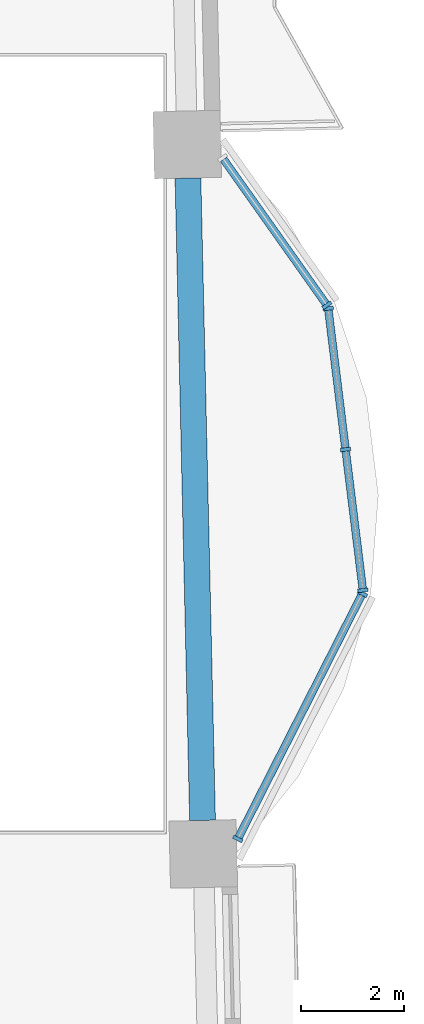
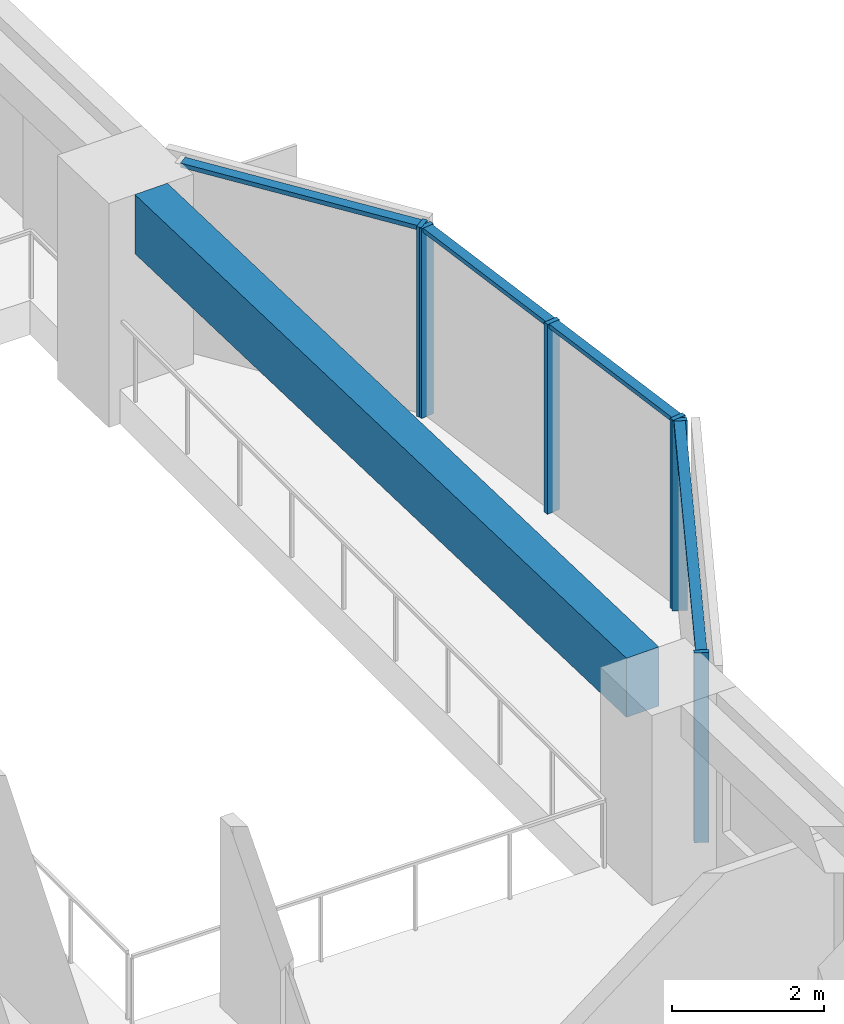
# One storey, part 2 of 16: 10 members, 1 beam, 3 elements without a shape of their own.
"""IFC4 building model written with IfcOpenShell, lengths in metres."""

from ifc_helpers import new_model, si_unit, direction, frame, origin, origin_2d, place, context, subcontext, project, spatial, rectangle, extrude, material, material_profile, profile_set, type_object, element, aggregate, save


model = new_model("IFC4")

# Units and contexts
model_context = context("Model", 3, precision=1e-05, world=origin(), true_north=direction((0.0, 1.0)))
body_context = subcontext(model_context, "Body", "Model", "MODEL_VIEW")
ifc_project = project(units=[si_unit("LENGTHUNIT", "METRE"), si_unit("AREAUNIT", "SQUARE_METRE"), si_unit("VOLUMEUNIT", "CUBIC_METRE"), si_unit("PLANEANGLEUNIT", "RADIAN"), si_unit("MASSUNIT", "GRAM", prefix="KILO")], contexts=[model_context])

# Site, building, storey
site_placement = place(None, origin())
site = spatial("IfcSite", under=ifc_project, at=site_placement, CompositionType="ELEMENT")
building_placement = place(site_placement, origin())
building = spatial("IfcBuilding", under=site, at=building_placement, Name="Mangrove Gate Tower", CompositionType="ELEMENT")
storey_placement = place(building_placement, frame((0.0, 0.0, 140.89990234375)))
storey = spatial("IfcBuildingStorey", under=building, at=storey_placement, Name="L35", CompositionType="ELEMENT", Elevation=140.89990234375)

# Curtain wall, members
ifc_material_1 = material(Name="Aluminium and glass curtain wall", Category="aluminium")
curtain_wall_type = type_object("IfcCurtainWallType", Name="Atrium garden-court glazing wall", PredefinedType="NOTDEFINED", material=ifc_material_1)
curtain_wall_1_placement = place(storey_placement, origin())
curtain_wall_1 = element("IfcCurtainWall", 1, at=curtain_wall_1_placement, inside=storey, type_object=curtain_wall_type, Name="Atrium garden-court glazing E1f1", PredefinedType="NOTDEFINED")
ifc_material_2 = material(Name="Aluminium alloy 6063-T6", Category="aluminium")
ifc_material_profile_1 = material_profile(ifc_material_2, rectangle(XDim=0.070068359375, YDim=0.199951171875, at=origin_2d()))
ifc_profile_set_1 = profile_set([ifc_material_profile_1], Name="Aluminium alloy 6063-T6")
member_type_1 = type_object("IfcMemberType", Name="Atrium garden-court glazing mullion 70x200", PredefinedType="MULLION", material=ifc_profile_set_1)
member_1_placement = place(storey_placement, frame((24.441162109375, -7.660400390625, 0.0), z_axis=(0.0, 0.0, 1.0), x_axis=(0.452614630938, 0.891706227331, 0.0)))
member_1 = element("IfcMember", 2, at=member_1_placement, type_object=member_type_1, Name="CWA mullion 1", PredefinedType="MULLION", context=body_context, shape_type="SweptSolid", body=[
    extrude(rectangle(XDim=0.070068359375, YDim=0.199951171875, at=origin_2d()), origin(), (0.0, 0.0, 1.0), 3.050048828125),
])
member_2_placement = place(storey_placement, frame((26.85302734375, -2.908935546875, 0.0), z_axis=(0.0, 0.0, 1.0), x_axis=(0.452614630938, 0.891706227331, 0.0)))
member_2 = element("IfcMember", 3, at=member_2_placement, type_object=member_type_1, Name="CWA mullion 2", PredefinedType="MULLION", context=body_context, shape_type="SweptSolid", body=[
    extrude(rectangle(XDim=0.070068359375, YDim=0.199951171875, at=origin_2d()), origin(), (0.0, 0.0, 1.0), 3.050048828125),
])

curtain_wall_2_placement = place(storey_placement, origin())
curtain_wall_2 = element("IfcCurtainWall", 4, at=curtain_wall_2_placement, inside=storey, type_object=curtain_wall_type, Name="Atrium garden-court glazing E1f2", PredefinedType="NOTDEFINED")
member_3_placement = place(storey_placement, frame((26.864501953125, -2.843017578125, 0.0), z_axis=(0.0, 0.0, 1.0), x_axis=(-0.122172285885, 0.992508908051, 0.0)))
member_3 = element("IfcMember", 5, at=member_3_placement, type_object=member_type_1, Name="CWA mullion 1", PredefinedType="MULLION", context=body_context, shape_type="SweptSolid", body=[
    extrude(rectangle(XDim=0.070068359375, YDim=0.199951171875, at=origin_2d()), origin(), (0.0, 0.0, 1.0), 3.050048828125),
])
member_4_placement = place(storey_placement, frame((26.5283203125, -0.112060546875, 0.0), z_axis=(0.0, 0.0, 1.0), x_axis=(-0.122172285885, 0.992508908051, 0.0)))
member_4 = element("IfcMember", 6, at=member_4_placement, type_object=member_type_1, Name="CWA mullion 2", PredefinedType="MULLION", context=body_context, shape_type="SweptSolid", body=[
    extrude(rectangle(XDim=0.070068359375, YDim=0.199951171875, at=origin_2d()), origin(), (0.0, 0.0, 1.0), 3.050048828125),
])
member_5_placement = place(storey_placement, frame((26.192138671875, 2.619140625, 0.0), z_axis=(0.0, 0.0, 1.0), x_axis=(-0.122172285885, 0.992508908051, 0.0)))
member_5 = element("IfcMember", 7, at=member_5_placement, type_object=member_type_1, Name="CWA mullion 3", PredefinedType="MULLION", context=body_context, shape_type="SweptSolid", body=[
    extrude(rectangle(XDim=0.070068359375, YDim=0.199951171875, at=origin_2d()), origin(), (0.0, 0.0, 1.0), 3.050048828125),
])

# Curtain wall, member
curtain_wall_3_placement = place(storey_placement, origin())
curtain_wall_3 = element("IfcCurtainWall", 8, at=curtain_wall_3_placement, inside=storey, type_object=curtain_wall_type, Name="Atrium garden-court glazing E1f3", PredefinedType="NOTDEFINED")
member_6_placement = place(storey_placement, frame((26.167724609375, 2.682373046875, 0.0), z_axis=(0.0, 0.0, 1.0), x_axis=(-0.578132252952, 0.815943072828, 0.0)))
member_6 = element("IfcMember", 9, at=member_6_placement, type_object=member_type_1, Name="CWA mullion 1", PredefinedType="MULLION", context=body_context, shape_type="SweptSolid", body=[
    extrude(rectangle(XDim=0.070068359375, YDim=0.199951171875, at=origin_2d()), origin(), (0.0, 0.0, 1.0), 3.050048828125),
])

# Member
ifc_material_3 = material(Name="Aluminium alloy 6063-T6", Category="aluminium")
ifc_material_profile_2 = material_profile(ifc_material_3, rectangle(XDim=0.070068359375, YDim=0.14990234375, at=origin_2d()))
ifc_profile_set_2 = profile_set([ifc_material_profile_2], Name="Aluminium alloy 6063-T6")
member_type_2 = type_object("IfcMemberType", Name="Atrium garden-court glazing transom 70x150", PredefinedType="USERDEFINED", material=ifc_profile_set_2)
member_7_placement = place(storey_placement, frame((24.45703125, -7.629150390625, 3.01513671875), z_axis=(0.452628185689, 0.891699347045, 0.0), x_axis=(0.0, 0.0, 1.0)))
member_7 = element("IfcMember", 10, at=member_7_placement, type_object=member_type_2, Name="CWA transom 1.2", ObjectType="TRANSOM", PredefinedType="USERDEFINED", context=body_context, shape_type="SweptSolid", body=[
    extrude(rectangle(XDim=0.070068359375, YDim=0.14990234375, at=origin_2d()), origin(), (0.0, 0.0, 1.0), 5.258544921875),
])

aggregate(curtain_wall_1, [member_1, member_2, member_7])

member_8_placement = place(storey_placement, frame((26.8603515625, -2.808349609375, 3.01513671875), z_axis=(-0.122174517154, 0.992508633392, 0.0), x_axis=(0.0, 0.0, 1.0)))
member_8 = element("IfcMember", 11, at=member_8_placement, type_object=member_type_2, Name="CWA transom 1.2", ObjectType="TRANSOM", PredefinedType="USERDEFINED", context=body_context, shape_type="SweptSolid", body=[
    extrude(rectangle(XDim=0.070068359375, YDim=0.14990234375, at=origin_2d()), origin(), (0.0, 0.0, 1.0), 2.681640625),
])

member_9_placement = place(storey_placement, frame((26.524169921875, -0.0771484375, 3.01513671875), z_axis=(-0.122174517154, 0.992508633392, 0.0), x_axis=(0.0, 0.0, 1.0)))
member_9 = element("IfcMember", 12, at=member_9_placement, type_object=member_type_2, Name="CWA transom 2.2", ObjectType="TRANSOM", PredefinedType="USERDEFINED", context=body_context, shape_type="SweptSolid", body=[
    extrude(rectangle(XDim=0.070068359375, YDim=0.14990234375, at=origin_2d()), origin(), (0.0, 0.0, 1.0), 2.681640625),
])

aggregate(curtain_wall_2, [member_3, member_4, member_5, member_8, member_9])

member_10_placement = place(storey_placement, frame((26.1474609375, 2.7109375, 3.01513671875), z_axis=(-0.578102277646, 0.81596431085, 0.0), x_axis=(0.0, 0.0, 1.0)))
member_10 = element("IfcMember", 13, at=member_10_placement, type_object=member_type_2, Name="CWA transom 1.2", ObjectType="TRANSOM", PredefinedType="USERDEFINED", context=body_context, shape_type="SweptSolid", body=[
    extrude(rectangle(XDim=0.070068359375, YDim=0.14990234375, at=origin_2d()), origin(), (0.0, 0.0, 1.0), 3.42919921875),
])

aggregate(curtain_wall_3, [member_6, member_10])

# Beam
ifc_material_4 = material(Name="Concrete C50/60", Category="concrete")
ifc_material_profile_3 = material_profile(ifc_material_4, rectangle(XDim=0.5, YDim=0.949951171875, at=origin_2d()))
ifc_profile_set_3 = profile_set([ifc_material_profile_3], Name="Concrete C50/60")
beam_type = type_object("IfcBeamType", Name="Edge beam RC 500x950 C50/60", PredefinedType="BEAM", material=ifc_profile_set_3)
beam_placement = place(storey_placement, frame((23.75634765625, -7.302001953125, 2.5751953125), z_axis=(-0.02268532922, 0.999742654806, 0.0), x_axis=(-0.999742654806, -0.02268532922, 0.0)))
element("IfcBeam", 14, at=beam_placement, inside=storey, type_object=beam_type, Name="Edge beam L35 14", PredefinedType="BEAM", context=body_context, shape_type="SweptSolid", body=[
    extrude(rectangle(XDim=0.5, YDim=0.949951171875, at=origin_2d()), origin(), (0.0, 0.0, 1.0), 12.45166015625),
])

save(model, "model.ifc")
